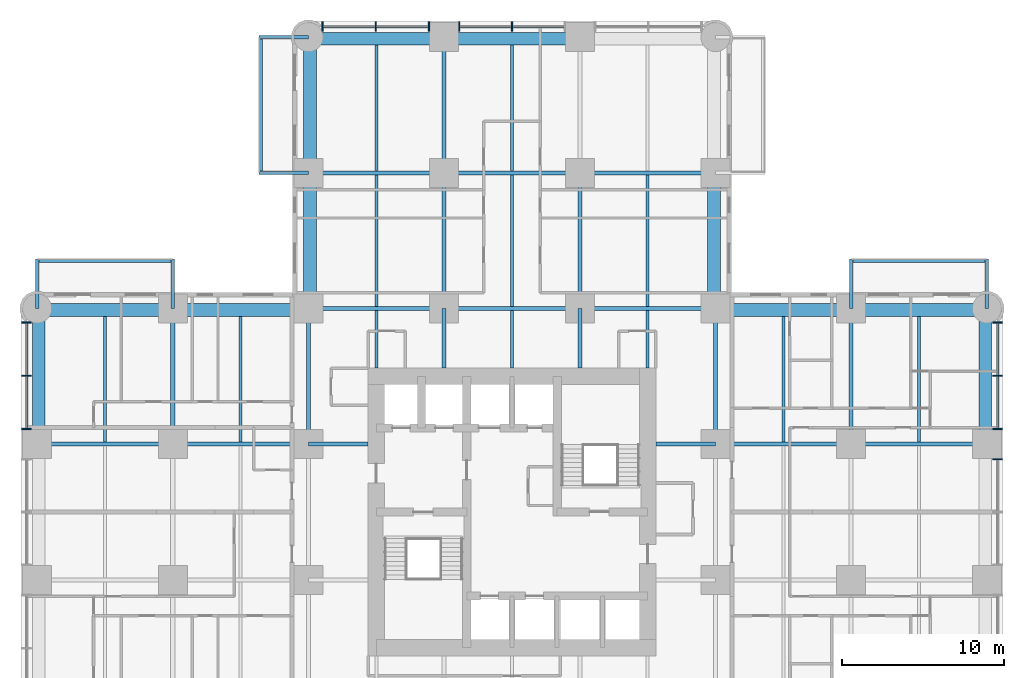
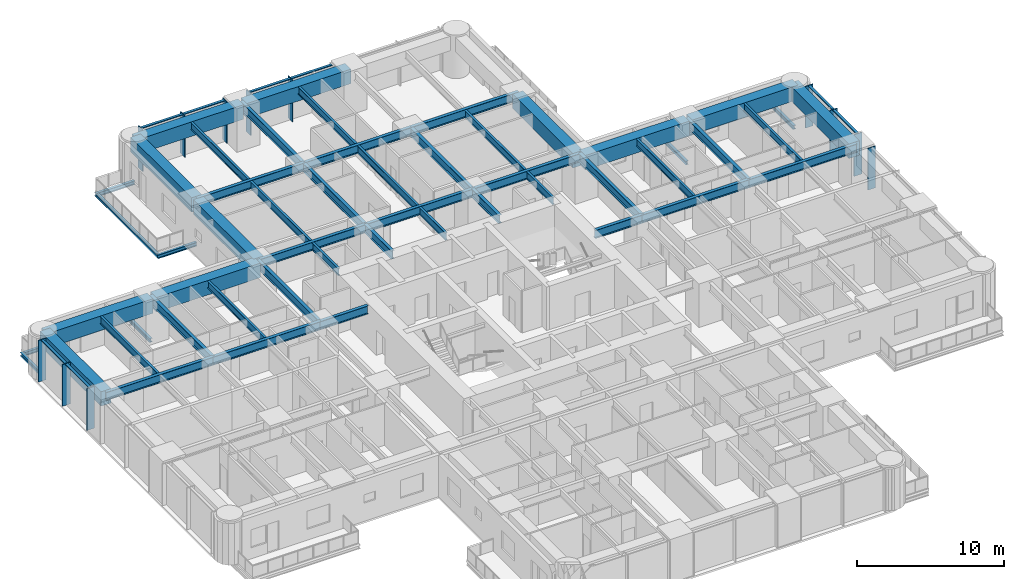
# One storey, part 4 of 17: 53 beams, 20 members, 3 elements without a shape of their own.
"""IFC4 building model written with IfcOpenShell, lengths in metres."""

from ifc_helpers import new_model, si_unit, direction, frame, origin, origin_2d, place, context, subcontext, project, spatial, rectangle, i_section, extrude, material, material_profile, profile_set, type_object, element, aggregate, save


model = new_model("IFC4")

# Units and contexts
model_context = context("Model", 3, precision=1e-05, world=origin(), true_north=direction((0.0, 1.0)))
body_context = subcontext(model_context, "Body", "Model", "MODEL_VIEW")
ifc_project = project(units=[si_unit("LENGTHUNIT", "METRE"), si_unit("AREAUNIT", "SQUARE_METRE"), si_unit("VOLUMEUNIT", "CUBIC_METRE"), si_unit("PLANEANGLEUNIT", "RADIAN"), si_unit("MASSUNIT", "GRAM", prefix="KILO")], contexts=[model_context])

# Site, building, storey
site_placement = place(None, origin())
site = spatial("IfcSite", under=ifc_project, at=site_placement, CompositionType="ELEMENT")
building_placement = place(site_placement, origin())
building = spatial("IfcBuilding", under=site, at=building_placement, Name="Torre Alcanfor", CompositionType="ELEMENT")
storey_placement = place(building_placement, frame((0.0, 0.0, 38.10009765625)))
storey = spatial("IfcBuildingStorey", under=building, at=storey_placement, Name="L08", CompositionType="ELEMENT", Elevation=38.10009765625)

# Beams
ifc_material_1 = material(Name="Steel ASTM A992 Grade 50", Category="steel")
ifc_material_profile_1 = material_profile(ifc_material_1, i_section(OverallWidth=0.205322265625, OverallDepth=0.309814453125, WebThickness=0.00927734375, FlangeThickness=0.016357421875, at=origin_2d()), Name="W12x50")
ifc_profile_set_1 = profile_set([ifc_material_profile_1], Name="Steel ASTM A992 Grade 50")
beam_type_1 = type_object("IfcBeamType", Name="Balcony cantilever beam W12x50", PredefinedType="BEAM", material=ifc_profile_set_1)
for number, where, z_axis, x_axis, name in (
    (1, (16.800048828125, 50.39990234375, -0.35498046875), (-1.0, 0.0, 0.0), (0.0, -1.0, 0.0), "Balcony cantilever beam L08-N1 1"),
    (2, (16.800048828125, 58.800048828125, -0.35498046875), (-1.0, 0.0, 0.0), (0.0, -1.0, 0.0), "Balcony cantilever beam L08-N1 2"),
    (3, (50.39990234375, 42.0, -0.35498046875), (0.0, 1.0, 0.0), (-1.0, 0.0, 0.0), "Balcony cantilever beam L08-E1 1"),
    (4, (58.800048828125, 42.0, -0.35498046875), (0.0, 1.0, 0.0), (-1.0, 0.0, 0.0), "Balcony cantilever beam L08-E1 2"),
    (5, (8.39990234375, 42.0, -0.35498046875), (0.0, 1.0, 0.0), (-1.0, 0.0, 0.0), "Balcony cantilever beam L08-W2 1"),
    (6, (0.0, 42.0, -0.35498046875), (0.0, 1.0, 0.0), (-1.0, 0.0, 0.0), "Balcony cantilever beam L08-W2 2"),
):
    element("IfcBeam", number, at=place(storey_placement, frame(where, z_axis=z_axis, x_axis=x_axis)), inside=storey, type_object=beam_type_1, Name=name, PredefinedType="BEAM", context=body_context, shape_type="SweptSolid", body=[
        extrude(i_section(OverallWidth=0.205322265625, OverallDepth=0.309814453125, WebThickness=0.00927734375, FlangeThickness=0.016357421875, at=origin_2d()), origin(), (0.0, 0.0, 1.0), 3.050048828125),
    ])
ifc_material_2 = material(Name="Steel ASTM A992 Grade 50", Category="steel")
ifc_material_profile_2 = material_profile(ifc_material_2, i_section(OverallWidth=0.203369140625, OverallDepth=0.30224609375, WebThickness=0.007568359375, FlangeThickness=0.01318359375, at=origin_2d()), Name="W12x40")
ifc_profile_set_2 = profile_set([ifc_material_profile_2], Name="Steel ASTM A992 Grade 50")
beam_type_2 = type_object("IfcBeamType", Name="Balcony edge trimmer W12x40", PredefinedType="BEAM", material=ifc_profile_set_2)
for number, where, z_axis, x_axis, name in (
    (7, (13.851806640625, 50.39990234375, -0.351318359375), (0.0, 1.0, 0.0), (-1.0, 0.0, 0.0), "Balcony edge trimmer L08-N1"),
    (8, (50.39990234375, 44.9482421875, -0.351318359375), (1.0, 0.0, 0.0), (0.0, 1.0, 0.0), "Balcony edge trimmer L08-E1"),
):
    element("IfcBeam", number, at=place(storey_placement, frame(where, z_axis=z_axis, x_axis=x_axis)), inside=storey, type_object=beam_type_2, Name=name, PredefinedType="BEAM", context=body_context, shape_type="SweptSolid", body=[
        extrude(i_section(OverallWidth=0.203369140625, OverallDepth=0.30224609375, WebThickness=0.007568359375, FlangeThickness=0.01318359375, at=origin_2d()), origin(), (0.0, 0.0, 1.0), 8.400146484375),
    ])
beam_1_placement = place(storey_placement, frame((8.39990234375, 44.9482421875, -0.351318359375), z_axis=(-1.0, 0.0, 0.0), x_axis=(0.0, -1.0, 0.0)))
element("IfcBeam", 9, at=beam_1_placement, inside=storey, type_object=beam_type_2, Name="Balcony edge trimmer L08-W2", PredefinedType="BEAM", context=body_context, shape_type="SweptSolid", body=[
    extrude(i_section(OverallWidth=0.203369140625, OverallDepth=0.30224609375, WebThickness=0.007568359375, FlangeThickness=0.01318359375, at=origin_2d()), origin(), (0.0, 0.0, 1.0), 8.39990234375),
])

# Curtain wall, members
ifc_material_3 = material(Name="Aluminium and glass", Category="aluminium")
curtain_wall_type = type_object("IfcCurtainWallType", Name="CW-A unitised apartment glazing with vertical FIN", PredefinedType="NOTDEFINED", material=ifc_material_3)
curtain_wall_1_placement = place(storey_placement, origin())
curtain_wall_1 = element("IfcCurtainWall", 10, at=curtain_wall_1_placement, inside=storey, type_object=curtain_wall_type, Name="Curtain wall CW-A L08 2", PredefinedType="NOTDEFINED")
ifc_material_4 = material(Name="Bronze anodised aluminium", Category="aluminium")
ifc_material_profile_3 = material_profile(ifc_material_4, rectangle(XDim=0.60009765625, YDim=0.06494140625, at=origin_2d()), Name="CW-A mullion 65x600")
ifc_profile_set_3 = profile_set([ifc_material_profile_3], Name="Bronze anodised aluminium")
member_type_1 = type_object("IfcMemberType", Name="CW-A mullion with vertical FIN 65x600", PredefinedType="MULLION", material=ifc_profile_set_3)
member_1_placement = place(storey_placement, frame((-0.64990234375, 41.133056640625, 0.0), z_axis=(0.0, 0.0, 1.0), x_axis=(1.0, 0.0, 0.0)))
member_1 = element("IfcMember", 11, at=member_1_placement, type_object=member_type_1, Name="CW-A mullion 1.1", PredefinedType="MULLION", context=body_context, shape_type="SweptSolid", body=[
    extrude(rectangle(XDim=0.60009765625, YDim=0.06494140625, at=origin_2d()), origin(), (0.0, 0.0, 1.0), 3.449951171875),
])
member_2_placement = place(storey_placement, frame((-0.64990234375, 37.835205078125, 0.0), z_axis=(0.0, 0.0, 1.0), x_axis=(1.0, 0.0, 0.0)))
member_2 = element("IfcMember", 12, at=member_2_placement, type_object=member_type_1, Name="CW-A mullion 1.2", PredefinedType="MULLION", context=body_context, shape_type="SweptSolid", body=[
    extrude(rectangle(XDim=0.60009765625, YDim=0.06494140625, at=origin_2d()), origin(), (0.0, 0.0, 1.0), 3.449951171875),
])
member_3_placement = place(storey_placement, frame((-0.64990234375, 34.53759765625, 0.0), z_axis=(0.0, 0.0, 1.0), x_axis=(1.0, 0.0, 0.0)))
member_3 = element("IfcMember", 13, at=member_3_placement, type_object=member_type_1, Name="CW-A mullion 1.3", PredefinedType="MULLION", context=body_context, shape_type="SweptSolid", body=[
    extrude(rectangle(XDim=0.60009765625, YDim=0.06494140625, at=origin_2d()), origin(), (0.0, 0.0, 1.0), 3.449951171875),
])

curtain_wall_2_placement = place(storey_placement, origin())
curtain_wall_2 = element("IfcCurtainWall", 14, at=curtain_wall_2_placement, inside=storey, type_object=curtain_wall_type, Name="Curtain wall CW-A L08 8", PredefinedType="NOTDEFINED")
member_4_placement = place(storey_placement, frame((59.449951171875, 32.66259765625, 0.0), z_axis=(0.0, 0.0, 1.0), x_axis=(-1.0, 0.0, 0.0)))
member_4 = element("IfcMember", 15, at=member_4_placement, type_object=member_type_1, Name="CW-A mullion 2.3", PredefinedType="MULLION", context=body_context, shape_type="SweptSolid", body=[
    extrude(rectangle(XDim=0.60009765625, YDim=0.06494140625, at=origin_2d()), origin(), (0.0, 0.0, 1.0), 3.449951171875),
])
member_5_placement = place(storey_placement, frame((59.449951171875, 34.53759765625, 0.0), z_axis=(0.0, 0.0, 1.0), x_axis=(-1.0, 0.0, 0.0)))
member_5 = element("IfcMember", 16, at=member_5_placement, type_object=member_type_1, Name="CW-A mullion 3.1", PredefinedType="MULLION", context=body_context, shape_type="SweptSolid", body=[
    extrude(rectangle(XDim=0.60009765625, YDim=0.06494140625, at=origin_2d()), origin(), (0.0, 0.0, 1.0), 3.449951171875),
])
member_6_placement = place(storey_placement, frame((59.449951171875, 37.835205078125, 0.0), z_axis=(0.0, 0.0, 1.0), x_axis=(-1.0, 0.0, 0.0)))
member_6 = element("IfcMember", 17, at=member_6_placement, type_object=member_type_1, Name="CW-A mullion 3.2", PredefinedType="MULLION", context=body_context, shape_type="SweptSolid", body=[
    extrude(rectangle(XDim=0.60009765625, YDim=0.06494140625, at=origin_2d()), origin(), (0.0, 0.0, 1.0), 3.449951171875),
])
member_7_placement = place(storey_placement, frame((59.449951171875, 41.133056640625, 0.0), z_axis=(0.0, 0.0, 1.0), x_axis=(-1.0, 0.0, 0.0)))
member_7 = element("IfcMember", 18, at=member_7_placement, type_object=member_type_1, Name="CW-A mullion 3.3", PredefinedType="MULLION", context=body_context, shape_type="SweptSolid", body=[
    extrude(rectangle(XDim=0.60009765625, YDim=0.06494140625, at=origin_2d()), origin(), (0.0, 0.0, 1.0), 3.449951171875),
])

curtain_wall_3_placement = place(storey_placement, origin())
curtain_wall_3 = element("IfcCurtainWall", 19, at=curtain_wall_3_placement, inside=storey, type_object=curtain_wall_type, Name="Curtain wall CW-A L08 11", PredefinedType="NOTDEFINED")
member_8_placement = place(storey_placement, frame((29.39990234375, 59.449951171875, 0.0), z_axis=(0.0, 0.0, 1.0), x_axis=(0.0, -1.0, 0.0)))
member_8 = element("IfcMember", 20, at=member_8_placement, type_object=member_type_1, Name="CW-A mullion 2.2", PredefinedType="MULLION", context=body_context, shape_type="SweptSolid", body=[
    extrude(rectangle(XDim=0.60009765625, YDim=0.06494140625, at=origin_2d()), origin(), (0.0, 0.0, 1.0), 3.449951171875),
])
member_9_placement = place(storey_placement, frame((26.137451171875, 59.449951171875, 0.0), z_axis=(0.0, 0.0, 1.0), x_axis=(0.0, -1.0, 0.0)))
member_9 = element("IfcMember", 21, at=member_9_placement, type_object=member_type_1, Name="CW-A mullion 2.3", PredefinedType="MULLION", context=body_context, shape_type="SweptSolid", body=[
    extrude(rectangle(XDim=0.60009765625, YDim=0.06494140625, at=origin_2d()), origin(), (0.0, 0.0, 1.0), 3.449951171875),
])
member_10_placement = place(storey_placement, frame((24.262451171875, 59.449951171875, 0.0), z_axis=(0.0, 0.0, 1.0), x_axis=(0.0, -1.0, 0.0)))
member_10 = element("IfcMember", 22, at=member_10_placement, type_object=member_type_1, Name="CW-A mullion 3.1", PredefinedType="MULLION", context=body_context, shape_type="SweptSolid", body=[
    extrude(rectangle(XDim=0.60009765625, YDim=0.06494140625, at=origin_2d()), origin(), (0.0, 0.0, 1.0), 3.449951171875),
])
member_11_placement = place(storey_placement, frame((20.96484375, 59.449951171875, 0.0), z_axis=(0.0, 0.0, 1.0), x_axis=(0.0, -1.0, 0.0)))
member_11 = element("IfcMember", 23, at=member_11_placement, type_object=member_type_1, Name="CW-A mullion 3.2", PredefinedType="MULLION", context=body_context, shape_type="SweptSolid", body=[
    extrude(rectangle(XDim=0.60009765625, YDim=0.06494140625, at=origin_2d()), origin(), (0.0, 0.0, 1.0), 3.449951171875),
])
member_12_placement = place(storey_placement, frame((17.6669921875, 59.449951171875, 0.0), z_axis=(0.0, 0.0, 1.0), x_axis=(0.0, -1.0, 0.0)))
member_12 = element("IfcMember", 24, at=member_12_placement, type_object=member_type_1, Name="CW-A mullion 3.3", PredefinedType="MULLION", context=body_context, shape_type="SweptSolid", body=[
    extrude(rectangle(XDim=0.60009765625, YDim=0.06494140625, at=origin_2d()), origin(), (0.0, 0.0, 1.0), 3.449951171875),
])

# Member
ifc_material_5 = material(Name="Extruded aluminium", Category="aluminium")
ifc_material_profile_4 = material_profile(ifc_material_5, rectangle(XDim=0.199951171875, YDim=0.06494140625, at=origin_2d()), Name="CW-A transom 200x65")
ifc_profile_set_4 = profile_set([ifc_material_profile_4], Name="Extruded aluminium")
member_type_2 = type_object("IfcMemberType", Name="CW-A transom 65x200", PredefinedType="USERDEFINED", material=ifc_profile_set_4)
member_13_placement = place(storey_placement, frame((-0.64990234375, 41.1005859375, 3.41748046875), z_axis=(0.0, -1.0, 0.0), x_axis=(1.0, 0.0, 0.0)))
member_13 = element("IfcMember", 25, at=member_13_placement, type_object=member_type_2, Name="CW-A transom 1.1.2", ObjectType="TRANSOM", PredefinedType="USERDEFINED", context=body_context, shape_type="SweptSolid", body=[
    extrude(rectangle(XDim=0.199951171875, YDim=0.06494140625, at=origin_2d()), origin(), (0.0, 0.0, 1.0), 3.23291015625),
])

member_14_placement = place(storey_placement, frame((-0.64990234375, 37.802734375, 3.41748046875), z_axis=(0.0, -1.0, 0.0), x_axis=(1.0, 0.0, 0.0)))
member_14 = element("IfcMember", 26, at=member_14_placement, type_object=member_type_2, Name="CW-A transom 1.2.2", ObjectType="TRANSOM", PredefinedType="USERDEFINED", context=body_context, shape_type="SweptSolid", body=[
    extrude(rectangle(XDim=0.199951171875, YDim=0.06494140625, at=origin_2d()), origin(), (0.0, 0.0, 1.0), 3.232666015625),
])

aggregate(curtain_wall_1, [member_1, member_2, member_3, member_13, member_14])

member_15_placement = place(storey_placement, frame((59.449951171875, 34.570068359375, 3.41748046875), z_axis=(0.0, 1.0, 0.0), x_axis=(-1.0, 0.0, 0.0)))
member_15 = element("IfcMember", 27, at=member_15_placement, type_object=member_type_2, Name="CW-A transom 3.1.2", ObjectType="TRANSOM", PredefinedType="USERDEFINED", context=body_context, shape_type="SweptSolid", body=[
    extrude(rectangle(XDim=0.199951171875, YDim=0.06494140625, at=origin_2d()), origin(), (0.0, 0.0, 1.0), 3.232666015625),
])

member_16_placement = place(storey_placement, frame((59.449951171875, 37.86767578125, 3.41748046875), z_axis=(0.0, 1.0, 0.0), x_axis=(-1.0, 0.0, 0.0)))
member_16 = element("IfcMember", 28, at=member_16_placement, type_object=member_type_2, Name="CW-A transom 3.2.2", ObjectType="TRANSOM", PredefinedType="USERDEFINED", context=body_context, shape_type="SweptSolid", body=[
    extrude(rectangle(XDim=0.199951171875, YDim=0.06494140625, at=origin_2d()), origin(), (0.0, 0.0, 1.0), 3.23291015625),
])

aggregate(curtain_wall_2, [member_4, member_5, member_6, member_7, member_15, member_16])

member_17_placement = place(storey_placement, frame((32.6298828125, 59.449951171875, 3.41748046875), z_axis=(-1.0, 0.0, 0.0), x_axis=(0.0, -1.0, 0.0)))
member_17 = element("IfcMember", 29, at=member_17_placement, type_object=member_type_2, Name="CW-A transom 2.1.2", ObjectType="TRANSOM", PredefinedType="USERDEFINED", context=body_context, shape_type="SweptSolid", body=[
    extrude(rectangle(XDim=0.199951171875, YDim=0.06494140625, at=origin_2d()), origin(), (0.0, 0.0, 1.0), 3.197265625),
])

member_18_placement = place(storey_placement, frame((29.367431640625, 59.449951171875, 3.41748046875), z_axis=(-1.0, 0.0, 0.0), x_axis=(0.0, -1.0, 0.0)))
member_18 = element("IfcMember", 30, at=member_18_placement, type_object=member_type_2, Name="CW-A transom 2.2.2", ObjectType="TRANSOM", PredefinedType="USERDEFINED", context=body_context, shape_type="SweptSolid", body=[
    extrude(rectangle(XDim=0.199951171875, YDim=0.06494140625, at=origin_2d()), origin(), (0.0, 0.0, 1.0), 3.197509765625),
])

member_19_placement = place(storey_placement, frame((24.22998046875, 59.449951171875, 3.41748046875), z_axis=(-1.0, 0.0, 0.0), x_axis=(0.0, -1.0, 0.0)))
member_19 = element("IfcMember", 31, at=member_19_placement, type_object=member_type_2, Name="CW-A transom 3.1.2", ObjectType="TRANSOM", PredefinedType="USERDEFINED", context=body_context, shape_type="SweptSolid", body=[
    extrude(rectangle(XDim=0.199951171875, YDim=0.06494140625, at=origin_2d()), origin(), (0.0, 0.0, 1.0), 3.232666015625),
])

member_20_placement = place(storey_placement, frame((20.93212890625, 59.449951171875, 3.41748046875), z_axis=(-1.0, 0.0, 0.0), x_axis=(0.0, -1.0, 0.0)))
member_20 = element("IfcMember", 32, at=member_20_placement, type_object=member_type_2, Name="CW-A transom 3.2.2", ObjectType="TRANSOM", PredefinedType="USERDEFINED", context=body_context, shape_type="SweptSolid", body=[
    extrude(rectangle(XDim=0.199951171875, YDim=0.06494140625, at=origin_2d()), origin(), (0.0, 0.0, 1.0), 3.232666015625),
])

aggregate(curtain_wall_3, [member_8, member_9, member_17, member_18, member_10, member_11, member_12, member_19, member_20])

# Beams
ifc_material_6 = material(Name="Steel ASTM A992 Grade 50", Category="steel")
ifc_material_profile_5 = material_profile(ifc_material_6, i_section(OverallWidth=0.25390625, OverallDepth=0.683349609375, WebThickness=0.012451171875, FlangeThickness=0.01904296875, at=origin_2d()), Name="W27x94")
ifc_profile_set_5 = profile_set([ifc_material_profile_5], Name="Steel ASTM A992 Grade 50")
beam_type_3 = type_object("IfcBeamType", Name="Girder W27x94", PredefinedType="BEAM", material=ifc_profile_set_5)
beam_2_placement = place(storey_placement, frame((0.0, 33.60009765625, 3.108154296875), z_axis=(1.0, 0.0, 0.0), x_axis=(0.0, 1.0, 0.0)))
element("IfcBeam", 33, at=beam_2_placement, inside=storey, type_object=beam_type_3, Name="Beam 1G-2G under L09", PredefinedType="BEAM", context=body_context, shape_type="SweptSolid", body=[
    extrude(i_section(OverallWidth=0.25390625, OverallDepth=0.683349609375, WebThickness=0.012451171875, FlangeThickness=0.01904296875, at=origin_2d()), origin(), (0.0, 0.0, 1.0), 8.39990234375),
])
beam_3_placement = place(storey_placement, frame((8.39990234375, 33.60009765625, 3.108154296875), z_axis=(1.0, 0.0, 0.0), x_axis=(0.0, 1.0, 0.0)))
element("IfcBeam", 34, at=beam_3_placement, inside=storey, type_object=beam_type_3, Name="Beam 2G-3G under L09", PredefinedType="BEAM", context=body_context, shape_type="SweptSolid", body=[
    extrude(i_section(OverallWidth=0.25390625, OverallDepth=0.683349609375, WebThickness=0.012451171875, FlangeThickness=0.01904296875, at=origin_2d()), origin(), (0.0, 0.0, 1.0), 8.400146484375),
])
beam_4_placement = place(storey_placement, frame((42.0, 33.60009765625, 3.108154296875), z_axis=(1.0, 0.0, 0.0), x_axis=(0.0, 1.0, 0.0)))
element("IfcBeam", 35, at=beam_4_placement, inside=storey, type_object=beam_type_3, Name="Beam 6G-7G under L09", PredefinedType="BEAM", context=body_context, shape_type="SweptSolid", body=[
    extrude(i_section(OverallWidth=0.25390625, OverallDepth=0.683349609375, WebThickness=0.012451171875, FlangeThickness=0.01904296875, at=origin_2d()), origin(), (0.0, 0.0, 1.0), 8.39990234375),
])
beam_5_placement = place(storey_placement, frame((50.39990234375, 33.60009765625, 3.108154296875), z_axis=(1.0, 0.0, 0.0), x_axis=(0.0, 1.0, 0.0)))
element("IfcBeam", 36, at=beam_5_placement, inside=storey, type_object=beam_type_3, Name="Beam 7G-8G under L09", PredefinedType="BEAM", context=body_context, shape_type="SweptSolid", body=[
    extrude(i_section(OverallWidth=0.25390625, OverallDepth=0.683349609375, WebThickness=0.012451171875, FlangeThickness=0.01904296875, at=origin_2d()), origin(), (0.0, 0.0, 1.0), 8.400146484375),
])
beam_6_placement = place(storey_placement, frame((16.800048828125, 42.0, 3.108154296875), z_axis=(1.0, 0.0, 0.0), x_axis=(0.0, 1.0, 0.0)))
element("IfcBeam", 37, at=beam_6_placement, inside=storey, type_object=beam_type_3, Name="Beam 3H-4H under L09", PredefinedType="BEAM", context=body_context, shape_type="SweptSolid", body=[
    extrude(i_section(OverallWidth=0.25390625, OverallDepth=0.683349609375, WebThickness=0.012451171875, FlangeThickness=0.01904296875, at=origin_2d()), origin(), (0.0, 0.0, 1.0), 8.39990234375),
])
beam_7_placement = place(storey_placement, frame((25.199951171875, 42.0, 3.108154296875), z_axis=(1.0, 0.0, 0.0), x_axis=(0.0, 1.0, 0.0)))
element("IfcBeam", 38, at=beam_7_placement, inside=storey, type_object=beam_type_3, Name="Beam 4H-5H under L09", PredefinedType="BEAM", context=body_context, shape_type="SweptSolid", body=[
    extrude(i_section(OverallWidth=0.25390625, OverallDepth=0.683349609375, WebThickness=0.012451171875, FlangeThickness=0.01904296875, at=origin_2d()), origin(), (0.0, 0.0, 1.0), 8.400146484375),
])
for number, where, z_axis, x_axis, name in (
    (39, (33.60009765625, 42.0, 3.108154296875), (1.0, 0.0, 0.0), (0.0, 1.0, 0.0), "Beam 5H-6H under L09"),
    (40, (16.800048828125, 50.39990234375, 3.108154296875), (1.0, 0.0, 0.0), (0.0, 1.0, 0.0), "Beam 3J-4J under L09"),
):
    element("IfcBeam", number, at=place(storey_placement, frame(where, z_axis=z_axis, x_axis=x_axis)), inside=storey, type_object=beam_type_3, Name=name, PredefinedType="BEAM", context=body_context, shape_type="SweptSolid", body=[
        extrude(i_section(OverallWidth=0.25390625, OverallDepth=0.683349609375, WebThickness=0.012451171875, FlangeThickness=0.01904296875, at=origin_2d()), origin(), (0.0, 0.0, 1.0), 8.39990234375),
    ])
beam_8_placement = place(storey_placement, frame((25.199951171875, 50.39990234375, 3.108154296875), z_axis=(1.0, 0.0, 0.0), x_axis=(0.0, 1.0, 0.0)))
element("IfcBeam", 41, at=beam_8_placement, inside=storey, type_object=beam_type_3, Name="Beam 4J-5J under L09", PredefinedType="BEAM", context=body_context, shape_type="SweptSolid", body=[
    extrude(i_section(OverallWidth=0.25390625, OverallDepth=0.683349609375, WebThickness=0.012451171875, FlangeThickness=0.01904296875, at=origin_2d()), origin(), (0.0, 0.0, 1.0), 8.400146484375),
])
for number, where, z_axis, x_axis, name in (
    (42, (33.60009765625, 50.39990234375, 3.108154296875), (1.0, 0.0, 0.0), (0.0, 1.0, 0.0), "Beam 5J-6J under L09"),
    (43, (8.39990234375, 33.60009765625, 3.108154296875), (0.0, 1.0, 0.0), (-1.0, 0.0, 0.0), "Beam 2G-2H under L09"),
    (44, (16.800048828125, 33.60009765625, 3.108154296875), (0.0, 1.0, 0.0), (-1.0, 0.0, 0.0), "Beam 3G-3H under L09"),
    (45, (25.199951171875, 42.0, 3.108154296875), (0.0, 1.0, 0.0), (-1.0, 0.0, 0.0), "Beam 4H-4J under L09"),
):
    element("IfcBeam", number, at=place(storey_placement, frame(where, z_axis=z_axis, x_axis=x_axis)), inside=storey, type_object=beam_type_3, Name=name, PredefinedType="BEAM", context=body_context, shape_type="SweptSolid", body=[
        extrude(i_section(OverallWidth=0.25390625, OverallDepth=0.683349609375, WebThickness=0.012451171875, FlangeThickness=0.01904296875, at=origin_2d()), origin(), (0.0, 0.0, 1.0), 8.39990234375),
    ])
beam_9_placement = place(storey_placement, frame((25.199951171875, 50.39990234375, 3.108154296875), z_axis=(0.0, 1.0, 0.0), x_axis=(-1.0, 0.0, 0.0)))
element("IfcBeam", 46, at=beam_9_placement, inside=storey, type_object=beam_type_3, Name="Beam 4J-4K under L09", PredefinedType="BEAM", context=body_context, shape_type="SweptSolid", body=[
    extrude(i_section(OverallWidth=0.25390625, OverallDepth=0.683349609375, WebThickness=0.012451171875, FlangeThickness=0.01904296875, at=origin_2d()), origin(), (0.0, 0.0, 1.0), 8.400146484375),
])
for number, where, z_axis, x_axis, name in (
    (47, (33.60009765625, 42.0, 3.108154296875), (0.0, 1.0, 0.0), (-1.0, 0.0, 0.0), "Beam 5H-5J under L09"),
    (48, (42.0, 33.60009765625, 3.108154296875), (0.0, 1.0, 0.0), (-1.0, 0.0, 0.0), "Beam 6G-6H under L09"),
    (49, (50.39990234375, 33.60009765625, 3.108154296875), (0.0, 1.0, 0.0), (-1.0, 0.0, 0.0), "Beam 7G-7H under L09"),
):
    element("IfcBeam", number, at=place(storey_placement, frame(where, z_axis=z_axis, x_axis=x_axis)), inside=storey, type_object=beam_type_3, Name=name, PredefinedType="BEAM", context=body_context, shape_type="SweptSolid", body=[
        extrude(i_section(OverallWidth=0.25390625, OverallDepth=0.683349609375, WebThickness=0.012451171875, FlangeThickness=0.01904296875, at=origin_2d()), origin(), (0.0, 0.0, 1.0), 8.39990234375),
    ])
ifc_material_7 = material(Name="Steel ASTM A992 Grade 50", Category="steel")
ifc_material_profile_6 = material_profile(ifc_material_7, i_section(OverallWidth=0.25390625, OverallDepth=0.683349609375, WebThickness=0.012451171875, FlangeThickness=0.01904296875, at=origin_2d()), Name="W27x94")
ifc_profile_set_6 = profile_set([ifc_material_profile_6], Name="Steel ASTM A992 Grade 50")
beam_type_4 = type_object("IfcBeamType", Name="Girder, part bay W27x94", PredefinedType="BEAM", material=ifc_profile_set_6)
for number, where, z_axis, x_axis, name in (
    (50, (25.199951171875, 42.0, 3.108154296875), (0.0, -1.0, 0.0), (1.0, 0.0, 0.0), "Beam 4H-438_3 under L09"),
    (51, (33.60009765625, 42.0, 3.108154296875), (0.0, -1.0, 0.0), (1.0, 0.0, 0.0), "Beam 5H-538_3 under L09"),
    (52, (16.800048828125, 33.60009765625, 3.108154296875), (1.0, 0.0, 0.0), (0.0, 1.0, 0.0), "Beam 3G-20_5G under L09"),
    (53, (42.0, 33.60009765625, 3.108154296875), (-1.0, 0.0, 0.0), (0.0, -1.0, 0.0), "Beam 6G-38_3G under L09"),
):
    element("IfcBeam", number, at=place(storey_placement, frame(where, z_axis=z_axis, x_axis=x_axis)), inside=storey, type_object=beam_type_4, Name=name, PredefinedType="BEAM", context=body_context, shape_type="SweptSolid", body=[
        extrude(i_section(OverallWidth=0.25390625, OverallDepth=0.683349609375, WebThickness=0.012451171875, FlangeThickness=0.01904296875, at=origin_2d()), origin(), (0.0, 0.0, 1.0), 3.699951171875),
    ])
ifc_material_8 = material(Name="Concrete f'c 70 MPa", Category="concrete")
ifc_material_profile_7 = material_profile(ifc_material_8, rectangle(XDim=0.800048828125, YDim=1.199951171875, at=origin_2d()), Name="800x1200")
ifc_profile_set_7 = profile_set([ifc_material_profile_7], Name="Concrete f'c 70 MPa")
beam_type_5 = type_object("IfcBeamType", Name="RC perimeter beam 800x1200", PredefinedType="BEAM", material=ifc_profile_set_7)
beam_10_placement = place(storey_placement, frame((0.0, 41.89990234375, 2.849853515625), z_axis=(1.0, 0.0, 0.0), x_axis=(0.0, 1.0, 0.0)))
element("IfcBeam", 54, at=beam_10_placement, inside=storey, type_object=beam_type_5, Name="Beam 1H-2H under L09", PredefinedType="BEAM", context=body_context, shape_type="SweptSolid", body=[
    extrude(rectangle(XDim=0.800048828125, YDim=1.199951171875, at=origin_2d()), origin(), (0.0, 0.0, 1.0), 8.27294921875),
])
for number, where, z_axis, x_axis, name in (
    (55, (8.527099609375, 41.89990234375, 2.849853515625), (1.0, 0.0, 0.0), (0.0, 1.0, 0.0), "Beam 2H-3H under L09"),
    (56, (42.126953125, 41.89990234375, 2.849853515625), (1.0, 0.0, 0.0), (0.0, 1.0, 0.0), "Beam 6H-7H under L09"),
):
    element("IfcBeam", number, at=place(storey_placement, frame(where, z_axis=z_axis, x_axis=x_axis)), inside=storey, type_object=beam_type_5, Name=name, PredefinedType="BEAM", context=body_context, shape_type="SweptSolid", body=[
        extrude(rectangle(XDim=0.800048828125, YDim=1.199951171875, at=origin_2d()), origin(), (0.0, 0.0, 1.0), 8.14599609375),
    ])
for number, where, z_axis, x_axis, name in (
    (57, (50.527099609375, 41.89990234375, 2.849853515625), (1.0, 0.0, 0.0), (0.0, 1.0, 0.0), "Beam 7H-8H under L09"),
    (58, (16.800048828125, 58.699951171875, 2.849853515625), (1.0, 0.0, 0.0), (0.0, 1.0, 0.0), "Beam 3K-4K under L09"),
):
    element("IfcBeam", number, at=place(storey_placement, frame(where, z_axis=z_axis, x_axis=x_axis)), inside=storey, type_object=beam_type_5, Name=name, PredefinedType="BEAM", context=body_context, shape_type="SweptSolid", body=[
        extrude(rectangle(XDim=0.800048828125, YDim=1.199951171875, at=origin_2d()), origin(), (0.0, 0.0, 1.0), 8.27294921875),
    ])
beam_11_placement = place(storey_placement, frame((25.326904296875, 58.699951171875, 2.849853515625), z_axis=(1.0, 0.0, 0.0), x_axis=(0.0, 1.0, 0.0)))
element("IfcBeam", 59, at=beam_11_placement, inside=storey, type_object=beam_type_5, Name="Beam 4K-5K under L09", PredefinedType="BEAM", context=body_context, shape_type="SweptSolid", body=[
    extrude(rectangle(XDim=0.800048828125, YDim=1.199951171875, at=origin_2d()), origin(), (0.0, 0.0, 1.0), 8.14599609375),
])
beam_12_placement = place(storey_placement, frame((0.10009765625, 33.72705078125, 2.849853515625), z_axis=(0.0, 1.0, 0.0), x_axis=(-1.0, 0.0, 0.0)))
element("IfcBeam", 60, at=beam_12_placement, inside=storey, type_object=beam_type_5, Name="Beam 1G-1H under L09", PredefinedType="BEAM", context=body_context, shape_type="SweptSolid", body=[
    extrude(rectangle(XDim=0.800048828125, YDim=1.199951171875, at=origin_2d()), origin(), (0.0, 0.0, 1.0), 8.27294921875),
])
beam_13_placement = place(storey_placement, frame((16.89990234375, 42.126953125, 2.849853515625), z_axis=(0.0, 1.0, 0.0), x_axis=(-1.0, 0.0, 0.0)))
element("IfcBeam", 61, at=beam_13_placement, inside=storey, type_object=beam_type_5, Name="Beam 3H-3J under L09", PredefinedType="BEAM", context=body_context, shape_type="SweptSolid", body=[
    extrude(rectangle(XDim=0.800048828125, YDim=1.199951171875, at=origin_2d()), origin(), (0.0, 0.0, 1.0), 8.14599609375),
])
beam_14_placement = place(storey_placement, frame((16.89990234375, 50.527099609375, 2.849853515625), z_axis=(0.0, 1.0, 0.0), x_axis=(-1.0, 0.0, 0.0)))
element("IfcBeam", 62, at=beam_14_placement, inside=storey, type_object=beam_type_5, Name="Beam 3J-3K under L09", PredefinedType="BEAM", context=body_context, shape_type="SweptSolid", body=[
    extrude(rectangle(XDim=0.800048828125, YDim=1.199951171875, at=origin_2d()), origin(), (0.0, 0.0, 1.0), 8.27294921875),
])
beam_15_placement = place(storey_placement, frame((41.89990234375, 42.126953125, 2.849853515625), z_axis=(0.0, 1.0, 0.0), x_axis=(-1.0, 0.0, 0.0)))
element("IfcBeam", 63, at=beam_15_placement, inside=storey, type_object=beam_type_5, Name="Beam 6H-6J under L09", PredefinedType="BEAM", context=body_context, shape_type="SweptSolid", body=[
    extrude(rectangle(XDim=0.800048828125, YDim=1.199951171875, at=origin_2d()), origin(), (0.0, 0.0, 1.0), 8.14599609375),
])
beam_16_placement = place(storey_placement, frame((58.699951171875, 33.72705078125, 2.849853515625), z_axis=(0.0, 1.0, 0.0), x_axis=(-1.0, 0.0, 0.0)))
element("IfcBeam", 64, at=beam_16_placement, inside=storey, type_object=beam_type_5, Name="Beam 8G-8H under L09", PredefinedType="BEAM", context=body_context, shape_type="SweptSolid", body=[
    extrude(rectangle(XDim=0.800048828125, YDim=1.199951171875, at=origin_2d()), origin(), (0.0, 0.0, 1.0), 8.27294921875),
])
ifc_material_9 = material(Name="Steel ASTM A992 Grade 50", Category="steel")
ifc_material_profile_8 = material_profile(ifc_material_9, i_section(OverallWidth=0.1787109375, OverallDepth=0.60205078125, WebThickness=0.010986328125, FlangeThickness=0.014892578125, at=origin_2d()), Name="W24x62")
ifc_profile_set_8 = profile_set([ifc_material_profile_8], Name="Steel ASTM A992 Grade 50")
beam_type_6 = type_object("IfcBeamType", Name="Secondary beam W24x62", PredefinedType="BEAM", material=ifc_profile_set_8)
for number, where, z_axis, x_axis, name in (
    (65, (4.199951171875, 33.72705078125, 3.14892578125), (0.0, 1.0, 0.0), (-1.0, 0.0, 0.0), "Beam 4_2G-4_2H under L09"),
    (66, (12.60009765625, 33.72705078125, 3.14892578125), (0.0, 1.0, 0.0), (-1.0, 0.0, 0.0), "Beam 12_6G-12_6H under L09"),
):
    element("IfcBeam", number, at=place(storey_placement, frame(where, z_axis=z_axis, x_axis=x_axis)), inside=storey, type_object=beam_type_6, Name=name, PredefinedType="BEAM", context=body_context, shape_type="SweptSolid", body=[
        extrude(i_section(OverallWidth=0.1787109375, OverallDepth=0.60205078125, WebThickness=0.010986328125, FlangeThickness=0.014892578125, at=origin_2d()), origin(), (0.0, 0.0, 1.0), 7.77294921875),
    ])
beam_17_placement = place(storey_placement, frame((21.0, 42.126953125, 3.14892578125), z_axis=(0.0, 1.0, 0.0), x_axis=(-1.0, 0.0, 0.0)))
element("IfcBeam", 67, at=beam_17_placement, inside=storey, type_object=beam_type_6, Name="Beam 21H-21J under L09", PredefinedType="BEAM", context=body_context, shape_type="SweptSolid", body=[
    extrude(i_section(OverallWidth=0.1787109375, OverallDepth=0.60205078125, WebThickness=0.010986328125, FlangeThickness=0.014892578125, at=origin_2d()), origin(), (0.0, 0.0, 1.0), 8.14599609375),
])
beam_18_placement = place(storey_placement, frame((21.0, 50.527099609375, 3.14892578125), z_axis=(0.0, 1.0, 0.0), x_axis=(-1.0, 0.0, 0.0)))
element("IfcBeam", 68, at=beam_18_placement, inside=storey, type_object=beam_type_6, Name="Beam 21J-21K under L09", PredefinedType="BEAM", context=body_context, shape_type="SweptSolid", body=[
    extrude(i_section(OverallWidth=0.1787109375, OverallDepth=0.60205078125, WebThickness=0.010986328125, FlangeThickness=0.014892578125, at=origin_2d()), origin(), (0.0, 0.0, 1.0), 7.77294921875),
])
beam_19_placement = place(storey_placement, frame((29.39990234375, 42.126953125, 3.14892578125), z_axis=(0.0, 1.0, 0.0), x_axis=(-1.0, 0.0, 0.0)))
element("IfcBeam", 69, at=beam_19_placement, inside=storey, type_object=beam_type_6, Name="Beam 29_4H-29_4J under L09", PredefinedType="BEAM", context=body_context, shape_type="SweptSolid", body=[
    extrude(i_section(OverallWidth=0.1787109375, OverallDepth=0.60205078125, WebThickness=0.010986328125, FlangeThickness=0.014892578125, at=origin_2d()), origin(), (0.0, 0.0, 1.0), 8.14599609375),
])
beam_20_placement = place(storey_placement, frame((29.39990234375, 50.527099609375, 3.14892578125), z_axis=(0.0, 1.0, 0.0), x_axis=(-1.0, 0.0, 0.0)))
element("IfcBeam", 70, at=beam_20_placement, inside=storey, type_object=beam_type_6, Name="Beam 29_4J-29_4K under L09", PredefinedType="BEAM", context=body_context, shape_type="SweptSolid", body=[
    extrude(i_section(OverallWidth=0.1787109375, OverallDepth=0.60205078125, WebThickness=0.010986328125, FlangeThickness=0.014892578125, at=origin_2d()), origin(), (0.0, 0.0, 1.0), 7.77294921875),
])
beam_21_placement = place(storey_placement, frame((37.800048828125, 42.126953125, 3.14892578125), z_axis=(0.0, 1.0, 0.0), x_axis=(-1.0, 0.0, 0.0)))
element("IfcBeam", 71, at=beam_21_placement, inside=storey, type_object=beam_type_6, Name="Beam 37_8H-37_8J under L09", PredefinedType="BEAM", context=body_context, shape_type="SweptSolid", body=[
    extrude(i_section(OverallWidth=0.1787109375, OverallDepth=0.60205078125, WebThickness=0.010986328125, FlangeThickness=0.014892578125, at=origin_2d()), origin(), (0.0, 0.0, 1.0), 8.14599609375),
])
for number, where, z_axis, x_axis, name in (
    (72, (46.199951171875, 33.72705078125, 3.14892578125), (0.0, 1.0, 0.0), (-1.0, 0.0, 0.0), "Beam 46_2G-46_2H under L09"),
    (73, (54.60009765625, 33.72705078125, 3.14892578125), (0.0, 1.0, 0.0), (-1.0, 0.0, 0.0), "Beam 54_6G-54_6H under L09"),
):
    element("IfcBeam", number, at=place(storey_placement, frame(where, z_axis=z_axis, x_axis=x_axis)), inside=storey, type_object=beam_type_6, Name=name, PredefinedType="BEAM", context=body_context, shape_type="SweptSolid", body=[
        extrude(i_section(OverallWidth=0.1787109375, OverallDepth=0.60205078125, WebThickness=0.010986328125, FlangeThickness=0.014892578125, at=origin_2d()), origin(), (0.0, 0.0, 1.0), 7.77294921875),
    ])
ifc_material_10 = material(Name="Steel ASTM A992 Grade 50", Category="steel")
ifc_material_profile_9 = material_profile(ifc_material_10, i_section(OverallWidth=0.1787109375, OverallDepth=0.60205078125, WebThickness=0.010986328125, FlangeThickness=0.014892578125, at=origin_2d()), Name="W24x62")
ifc_profile_set_9 = profile_set([ifc_material_profile_9], Name="Steel ASTM A992 Grade 50")
beam_type_7 = type_object("IfcBeamType", Name="Secondary beam, part bay W24x62", PredefinedType="BEAM", material=ifc_profile_set_9)
for number, where, z_axis, x_axis, name in (
    (74, (21.0, 38.300048828125, 3.14892578125), (0.0, 1.0, 0.0), (-1.0, 0.0, 0.0), "Beam 2138_3-21H under L09"),
    (75, (29.39990234375, 38.300048828125, 3.14892578125), (0.0, 1.0, 0.0), (-1.0, 0.0, 0.0), "Beam 29_438_3-29_4H under L09"),
    (76, (37.800048828125, 38.300048828125, 3.14892578125), (0.0, 1.0, 0.0), (-1.0, 0.0, 0.0), "Beam 37_838_3-37_8H under L09"),
):
    element("IfcBeam", number, at=place(storey_placement, frame(where, z_axis=z_axis, x_axis=x_axis)), inside=storey, type_object=beam_type_7, Name=name, PredefinedType="BEAM", context=body_context, shape_type="SweptSolid", body=[
        extrude(i_section(OverallWidth=0.1787109375, OverallDepth=0.60205078125, WebThickness=0.010986328125, FlangeThickness=0.014892578125, at=origin_2d()), origin(), (0.0, 0.0, 1.0), 3.572998046875),
    ])

save(model, "model.ifc")
